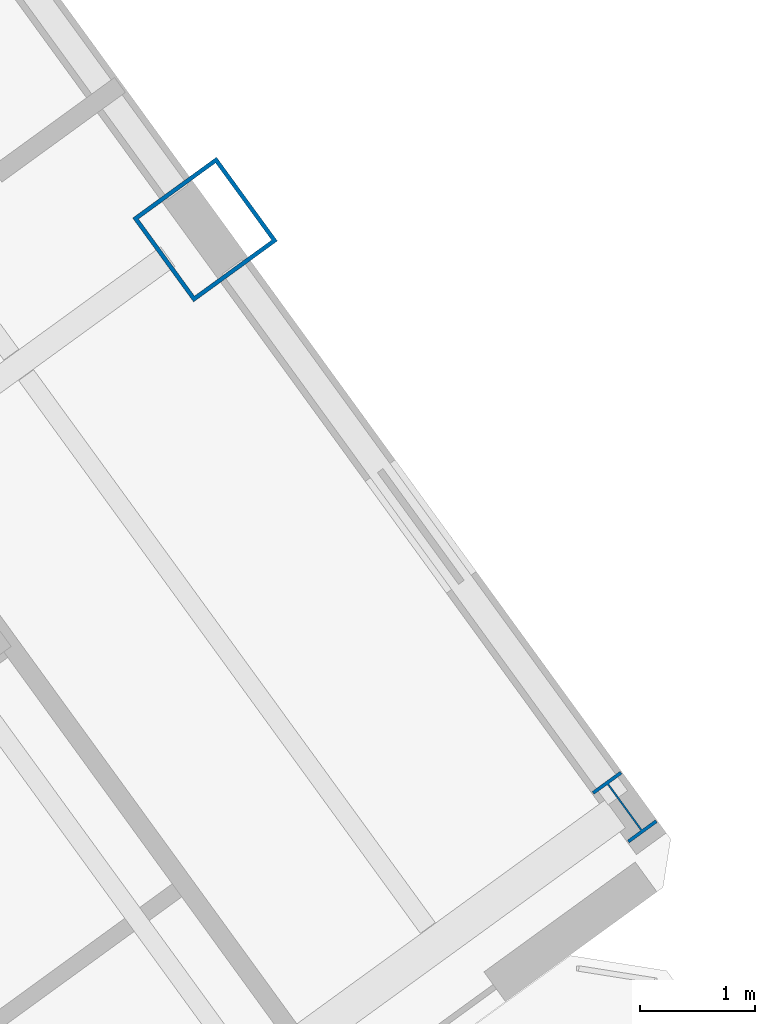
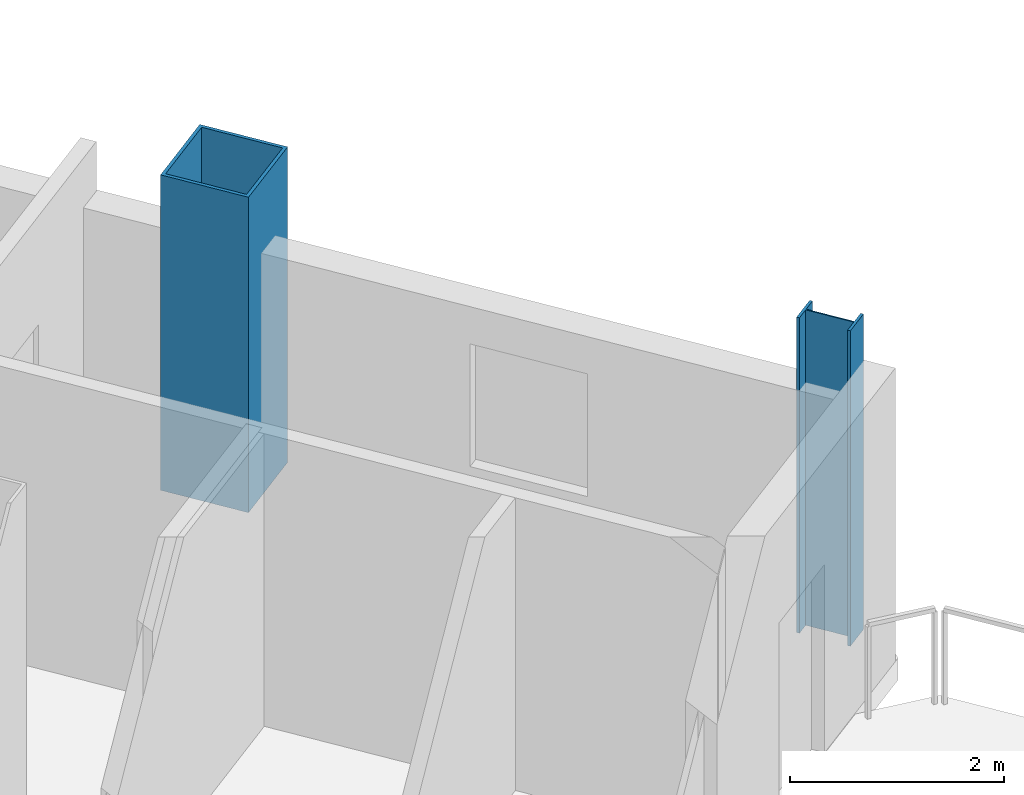
# One storey, part 4 of 25: 2 columns.
"""IFC4 building model written with IfcOpenShell, lengths in metres."""

from ifc_helpers import new_model, si_unit, direction, frame, origin, origin_2d, place, context, subcontext, project, spatial, hollow_rectangle, i_section, extrude, source, transform, mapped, material, material_profile, profile_set, type_object, element, save


model = new_model("IFC4")

# Units and contexts
model_context = context("Model", 3, precision=1e-05, world=origin(), true_north=direction((0.0, 1.0)))
body_context = subcontext(model_context, "Body", "Model", "MODEL_VIEW")
ifc_project = project(units=[si_unit("LENGTHUNIT", "METRE"), si_unit("AREAUNIT", "SQUARE_METRE"), si_unit("VOLUMEUNIT", "CUBIC_METRE"), si_unit("PLANEANGLEUNIT", "RADIAN"), si_unit("MASSUNIT", "GRAM", prefix="KILO")], contexts=[model_context])

# Site, building, storey
site_placement = place(None, origin())
site = spatial("IfcSite", under=ifc_project, at=site_placement, CompositionType="ELEMENT")
building_placement = place(site_placement, origin())
building = spatial("IfcBuilding", under=site, at=building_placement, Name="Tlacorven Tower", CompositionType="ELEMENT")
storey_placement = place(building_placement, frame((0.0, 0.0, 162.300048828125)))
storey = spatial("IfcBuildingStorey", under=building, at=storey_placement, Name="L41", CompositionType="ELEMENT", Elevation=162.300048828125)

# Columns
ifc_material = material(Name="Steel S460M", Category="steel")
ifc_material_profile_1 = material_profile(ifc_material, hollow_rectangle(XDim=0.89990234375, YDim=0.89990234375, WallThickness=0.035888671875, at=origin_2d()), Name="BOX 900X900X36")
ifc_profile_set_1 = profile_set([ifc_material_profile_1], Name="Steel S460M")
column_type_1 = type_object("IfcColumnType", Name="COL-TWR-S2", PredefinedType="COLUMN", material=ifc_profile_set_1)
shared_shape_1 = source(origin(), body_context, "Body", "SweptSolid", [
    extrude(hollow_rectangle(XDim=0.89990234375, YDim=0.89990234375, WallThickness=0.035888671875, at=origin_2d()), origin(), (0.0, 0.0, 1.0), 3.599853515625),
])
column_1_placement = place(storey_placement, frame((67.267822265625, 23.353515625, 0.0), z_axis=(0.0, 0.0, 1.0), x_axis=(0.809016994375, 0.587785252292, 0.0)))
element("IfcColumn", 1, at=column_1_placement, inside=storey, type_object=column_type_1, Name="L41 column COL-L41-E4-2", PredefinedType="COLUMN", context=body_context, shape_type="MappedRepresentation", body=[
    mapped(shared_shape_1, transform((0.0, 0.0, 0.0), scale=1.0)),
])
ifc_material_profile_2 = material_profile(ifc_material, i_section(OverallWidth=0.300048828125, OverallDepth=0.550048828125, WebThickness=0.014892578125, FlangeThickness=0.029052734375, at=origin_2d()), Name="HEB 550")
ifc_profile_set_2 = profile_set([ifc_material_profile_2], Name="Steel S460M")
column_type_2 = type_object("IfcColumnType", Name="COL-TWR-P2", PredefinedType="COLUMN", material=ifc_profile_set_2)
shared_shape_2 = source(origin(), body_context, "Body", "SweptSolid", [
    extrude(i_section(OverallWidth=0.300048828125, OverallDepth=0.550048828125, WebThickness=0.014892578125, FlangeThickness=0.029052734375, at=origin_2d()), origin(), (0.0, 0.0, 1.0), 3.599853515625),
])
column_2_placement = place(storey_placement, frame((70.911865234375, 18.337646484375, 0.0), z_axis=(0.0, 0.0, 1.0), x_axis=(0.809016994375, 0.587785252292, 0.0)))
element("IfcColumn", 2, at=column_2_placement, inside=storey, type_object=column_type_2, Name="L41 column COL-L41-E4-1", PredefinedType="COLUMN", context=body_context, shape_type="MappedRepresentation", body=[
    mapped(shared_shape_2, transform((0.0, 0.0, 0.0), scale=1.0)),
])

save(model, "model.ifc")
